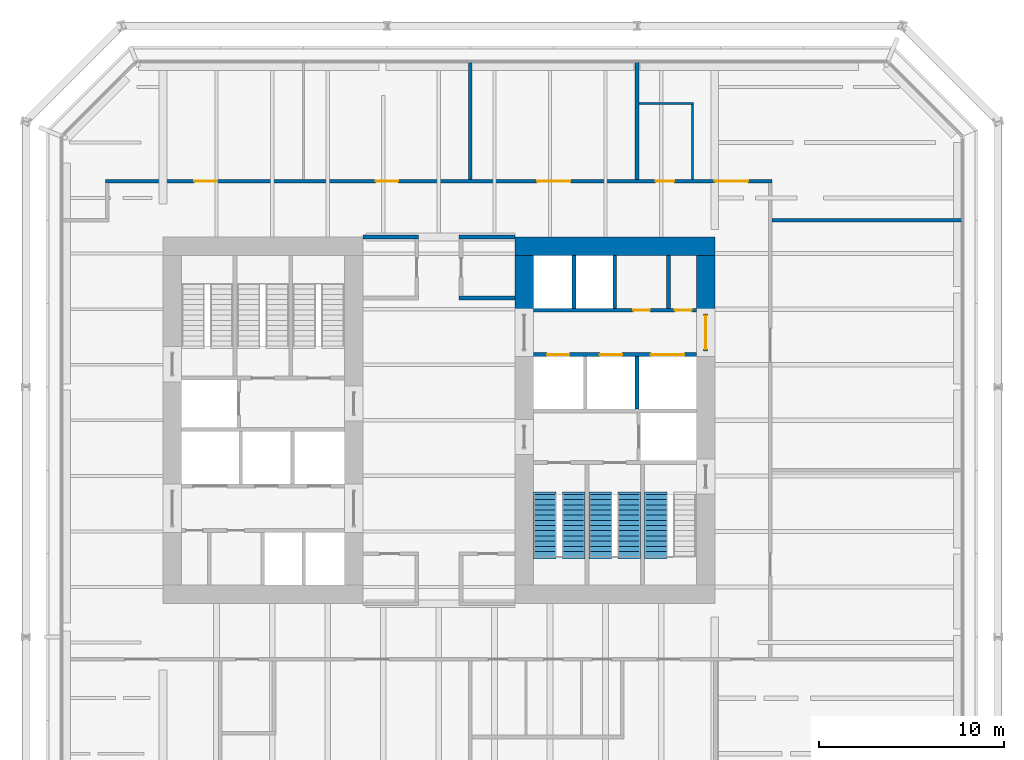
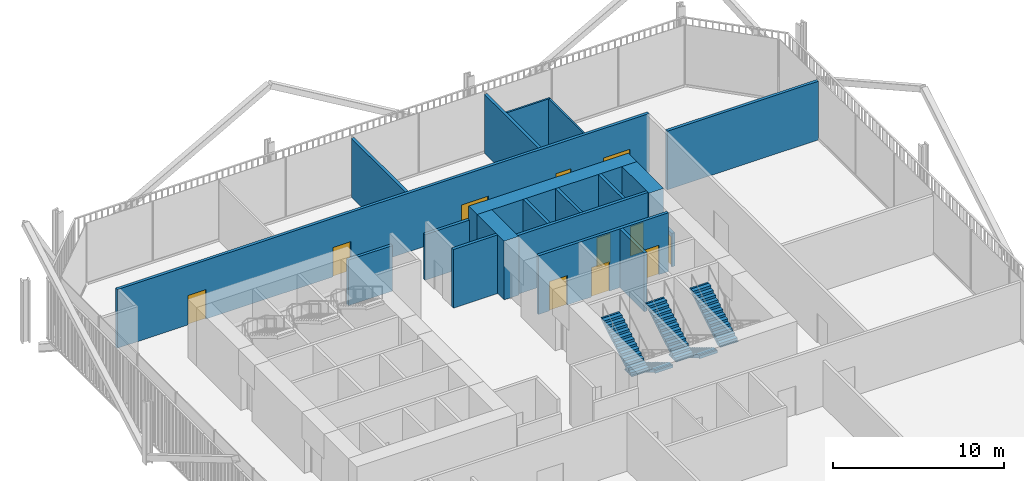
# One storey, part 19 of 21: 19 walls, 11 doors, 5 stair flights, 11 openings, 3 elements without a shape of their own.
"""IFC4 building model written with IfcOpenShell, lengths in metres."""

from ifc_helpers import new_model, si_unit, direction, frame, frame_2d, origin, place, context, subcontext, project, spatial, polyline, rectangle, outline, extrude, material, layer, layer_set, type_object, element, fill, aggregate, save


model = new_model("IFC4")

# Units and contexts
model_context = context("Model", 3, precision=1e-05, world=origin(), true_north=direction((0.0, 1.0)))
body_context = subcontext(model_context, "Body", "Model", "MODEL_VIEW")
ifc_project = project(units=[si_unit("LENGTHUNIT", "METRE"), si_unit("AREAUNIT", "SQUARE_METRE"), si_unit("VOLUMEUNIT", "CUBIC_METRE"), si_unit("PLANEANGLEUNIT", "RADIAN"), si_unit("MASSUNIT", "GRAM", prefix="KILO")], contexts=[model_context])

# Site, building, storey
site_placement = place(None, origin())
site = spatial("IfcSite", under=ifc_project, at=site_placement, CompositionType="ELEMENT")
building_placement = place(site_placement, origin())
building = spatial("IfcBuilding", under=site, at=building_placement, Name="Millrace Tower", CompositionType="ELEMENT")
storey_placement = place(building_placement, frame((0.0, 0.0, 73.199951171875)))
storey = spatial("IfcBuildingStorey", under=building, at=storey_placement, Name="L16", CompositionType="ELEMENT", Elevation=73.199951171875)

# Walls
ifc_material_1 = material(Name="Concrete C80", Category="concrete")
ifc_layer_1 = layer(ifc_material_1, 1.0)
ifc_layer_set_1 = layer_set([ifc_layer_1], Name="Concrete C80")
wall_type_1 = type_object("IfcWallType", Name="Core wall 1000 Concrete C80", PredefinedType="SHEAR", material=ifc_layer_set_1)
wall_1_placement = place(storey_placement, frame((14.89990234375, 9.39990234375, 0.0), z_axis=(0.0, 0.0, 1.0), x_axis=(-1.0, 0.0, 0.0)))
element("IfcWall", 1, at=wall_1_placement, inside=storey, type_object=wall_type_1, Name="Core wall E L16", PredefinedType="SHEAR", context=body_context, shape_type="SweptSolid", body=[
    extrude(rectangle(XDim=10.7998046875, YDim=1.0, at=frame_2d((5.39990234375, 0.0))), origin(), (0.0, 0.0, 1.0), 4.199951171875),
])
for number, where, z_axis, x_axis, name in (
    (2, (14.39990234375, 8.89990234375, 0.0), (0.0, 0.0, 1.0), (0.0, -1.0, 0.0), "Core wall E L16"),
    (3, (4.60009765625, 8.89990234375, 0.0), (0.0, 0.0, 1.0), (0.0, -1.0, 0.0), "Core wall E L16"),
):
    element("IfcWall", number, at=place(storey_placement, frame(where, z_axis=z_axis, x_axis=x_axis)), inside=storey, type_object=wall_type_1, Name=name, PredefinedType="SHEAR", context=body_context, shape_type="SweptSolid", body=[
        extrude(rectangle(XDim=3.14990234375, YDim=1.0, at=frame_2d((1.574951171875, 0.0))), origin(), (0.0, 0.0, 1.0), 4.199951171875),
    ])
ifc_material_2 = material(Name="Masonry partition, fire-rated", Category="masonry")
ifc_layer_2 = layer(ifc_material_2, 0.199951171875)
ifc_layer_set_2 = layer_set([ifc_layer_2], Name="Masonry partition, fire-rated")
wall_type_2 = type_object("IfcWallType", Name="Corridor wall 200", PredefinedType="PARTITIONING", material=ifc_layer_set_2)
wall_2_placement = place(storey_placement, frame((1.10009765625, 6.60009765625, 0.0), z_axis=(0.0, 0.0, 1.0), x_axis=(1.0, 0.0, 0.0)))
element("IfcWall", 4, at=wall_2_placement, inside=storey, type_object=wall_type_2, Name="Corridor wall L16", PredefinedType="PARTITIONING", context=body_context, shape_type="SweptSolid", body=[
    extrude(rectangle(XDim=3.0, YDim=0.199951171875, at=frame_2d((1.5, 0.0))), origin(), (0.0, 0.0, 1.0), 4.199951171875),
])
for number, where, z_axis, x_axis, name in (
    (5, (-4.10009765625, 9.89990234375, 0.0), (0.0, 0.0, 1.0), (1.0, 0.0, 0.0), "Corridor wall L16"),
    (6, (1.10009765625, 9.89990234375, 0.0), (0.0, 0.0, 1.0), (1.0, 0.0, 0.0), "Corridor wall L16"),
):
    element("IfcWall", number, at=place(storey_placement, frame(where, z_axis=z_axis, x_axis=x_axis)), inside=storey, type_object=wall_type_2, Name=name, PredefinedType="PARTITIONING", context=body_context, shape_type="SweptSolid", body=[
        extrude(rectangle(XDim=3.0, YDim=0.199951171875, at=frame_2d((1.5, 0.0))), origin(), (0.0, 0.0, 1.0), 3.2626953125),
    ])
wall_3_placement = place(storey_placement, frame((18.0, 10.800048828125, 0.0), z_axis=(0.0, 0.0, 1.0), x_axis=(1.0, 0.0, 0.0)))
element("IfcWall", 7, at=wall_3_placement, inside=storey, type_object=wall_type_2, Name="Corridor wall L16", PredefinedType="PARTITIONING", context=body_context, shape_type="SweptSolid", body=[
    extrude(rectangle(XDim=10.22998046875, YDim=0.199951171875, at=frame_2d((5.114990234375, 0.0))), origin(), (0.0, 0.0, 1.0), 4.199951171875),
])

# Wall, openings, doors
wall_4_placement = place(storey_placement, frame((-18.0, 12.89990234375, 0.0), z_axis=(0.0, 0.0, 1.0), x_axis=(1.0, 0.0, 0.0)))
wall_4 = element("IfcWall", 8, at=wall_4_placement, inside=storey, type_object=wall_type_2, Name="Corridor wall L16", PredefinedType="PARTITIONING", context=body_context, shape_type="SweptSolid", body=[
    extrude(rectangle(XDim=36.0, YDim=0.199951171875, at=frame_2d((18.0, 0.0))), origin(), (0.0, 0.0, 1.0), 4.199951171875),
])
opening_1_placement = place(wall_4_placement, frame((4.800048828125, 0.0, 0.0)))
opening_1 = element("IfcOpeningElement", 9, at=opening_1_placement, cuts=wall_4, Name="Opening 16-P010", PredefinedType="OPENING", context=body_context, shape_type="SweptSolid", body=[
    extrude(rectangle(XDim=1.199951171875, YDim=2.10009765625, at=frame_2d((0.60009765625, 1.050048828125))), frame((0.0, 0.10986328125, 0.0), z_axis=(0.0, -1.0, 0.0), x_axis=(1.0, 0.0, 0.0)), (0.0, 0.0, 1.0), 0.219970703125),
])
opening_2_placement = place(wall_4_placement, frame((14.60009765625, 0.0, 0.0)))
opening_2 = element("IfcOpeningElement", 10, at=opening_2_placement, cuts=wall_4, Name="Opening 16-P011", PredefinedType="OPENING", context=body_context, shape_type="SweptSolid", body=[
    extrude(rectangle(XDim=1.199951171875, YDim=2.10009765625, at=frame_2d((0.60009765625, 1.050048828125))), frame((0.0, 0.10986328125, 0.0), z_axis=(0.0, -1.0, 0.0), x_axis=(1.0, 0.0, 0.0)), (0.0, 0.0, 1.0), 0.219970703125),
])
opening_3_placement = place(wall_4_placement, frame((23.300048828125, 0.0, 0.0)))
opening_3 = element("IfcOpeningElement", 11, at=opening_3_placement, cuts=wall_4, Name="Opening 16-P012", PredefinedType="OPENING", context=body_context, shape_type="SweptSolid", body=[
    extrude(rectangle(XDim=1.800048828125, YDim=2.10009765625, at=frame_2d((0.89990234375, 1.050048828125))), frame((0.0, 0.10986328125, 0.0), z_axis=(0.0, -1.0, 0.0), x_axis=(1.0, 0.0, 0.0)), (0.0, 0.0, 1.0), 0.219970703125),
])
opening_4_placement = place(wall_4_placement, frame((32.89990234375, 0.0, 0.0)))
opening_4 = element("IfcOpeningElement", 12, at=opening_4_placement, cuts=wall_4, Name="Opening 16-P013", PredefinedType="OPENING", context=body_context, shape_type="SweptSolid", body=[
    extrude(rectangle(XDim=1.800048828125, YDim=2.10009765625, at=frame_2d((0.89990234375, 1.050048828125))), frame((0.0, 0.10986328125, 0.0), z_axis=(0.0, -1.0, 0.0), x_axis=(1.0, 0.0, 0.0)), (0.0, 0.0, 1.0), 0.219970703125),
])
opening_5_placement = place(wall_4_placement, frame((29.699951171875, 0.0, 0.0)))
opening_5 = element("IfcOpeningElement", 13, at=opening_5_placement, cuts=wall_4, Name="Opening 16-P014", PredefinedType="OPENING", context=body_context, shape_type="SweptSolid", body=[
    extrude(rectangle(XDim=1.0, YDim=2.10009765625, at=frame_2d((0.5, 1.050048828125))), frame((0.0, 0.10986328125, 0.0), z_axis=(0.0, -1.0, 0.0), x_axis=(1.0, 0.0, 0.0)), (0.0, 0.0, 1.0), 0.219970703125),
])
ifc_material_3 = material(Name="Steel door set, fire-rated", Category="steel")
door_type_1 = type_object("IfcDoorType", Name="Corridor door 1000 x 2100", OperationType="SINGLE_SWING_LEFT", PredefinedType="DOOR", material=ifc_material_3)
door_1_placement = place(opening_5_placement, origin())
door_1 = element("IfcDoor", 14, at=door_1_placement, inside=storey, type_object=door_type_1, Name="Door 16-P014", OperationType="SINGLE_SWING_RIGHT", OverallHeight=2.10009765625, OverallWidth=1.0, PredefinedType="DOOR", context=body_context, shape_type="SweptSolid", body=[
    extrude(rectangle(XDim=1.0, YDim=2.10009765625, at=frame_2d((0.5, 1.050048828125))), frame((0.0, 0.02490234375, 0.0), z_axis=(0.0, -1.0, 0.0), x_axis=(1.0, 0.0, 0.0)), (0.0, 0.0, 1.0), 0.050048828125),
])
fill(opening_5, door_1)
ifc_material_4 = material(Name="Steel door set, fire-rated", Category="steel")
door_type_2 = type_object("IfcDoorType", Name="Corridor door 1200 x 2100", OperationType="SINGLE_SWING_LEFT", PredefinedType="DOOR", material=ifc_material_4)
door_2_placement = place(opening_1_placement, origin())
door_2 = element("IfcDoor", 15, at=door_2_placement, inside=storey, type_object=door_type_2, Name="Door 16-P010", OperationType="SINGLE_SWING_LEFT", OverallHeight=2.10009765625, OverallWidth=1.199951171875, PredefinedType="DOOR", context=body_context, shape_type="SweptSolid", body=[
    extrude(rectangle(XDim=1.199951171875, YDim=2.10009765625, at=frame_2d((0.60009765625, 1.050048828125))), frame((0.0, 0.02490234375, 0.0), z_axis=(0.0, -1.0, 0.0), x_axis=(1.0, 0.0, 0.0)), (0.0, 0.0, 1.0), 0.050048828125),
])
fill(opening_1, door_2)
door_3_placement = place(opening_2_placement, origin())
door_3 = element("IfcDoor", 16, at=door_3_placement, inside=storey, type_object=door_type_2, Name="Door 16-P011", OperationType="SINGLE_SWING_LEFT", OverallHeight=2.10009765625, OverallWidth=1.199951171875, PredefinedType="DOOR", context=body_context, shape_type="SweptSolid", body=[
    extrude(rectangle(XDim=1.199951171875, YDim=2.10009765625, at=frame_2d((0.60009765625, 1.050048828125))), frame((0.0, 0.02490234375, 0.0), z_axis=(0.0, -1.0, 0.0), x_axis=(1.0, 0.0, 0.0)), (0.0, 0.0, 1.0), 0.050048828125),
])
fill(opening_2, door_3)
ifc_material_5 = material(Name="Steel door set, fire-rated", Category="steel")
door_type_3 = type_object("IfcDoorType", Name="Corridor door 1800 x 2100", OperationType="DOUBLE_DOOR_SINGLE_SWING", PredefinedType="DOOR", material=ifc_material_5)
door_4_placement = place(opening_4_placement, origin())
door_4 = element("IfcDoor", 17, at=door_4_placement, inside=storey, type_object=door_type_3, Name="Door 16-P013", OperationType="DOUBLE_DOOR_SINGLE_SWING", OverallHeight=2.10009765625, OverallWidth=1.800048828125, PredefinedType="DOOR", context=body_context, shape_type="SweptSolid", body=[
    extrude(rectangle(XDim=1.800048828125, YDim=2.10009765625, at=frame_2d((0.89990234375, 1.050048828125))), frame((0.0, 0.02490234375, 0.0), z_axis=(0.0, -1.0, 0.0), x_axis=(1.0, 0.0, 0.0)), (0.0, 0.0, 1.0), 0.050048828125),
])
fill(opening_4, door_4)
ifc_material_6 = material(Name="Steel door set, fire-rated", Category="steel")
door_type_4 = type_object("IfcDoorType", Name="Data hall door 1800 x 2100", OperationType="DOUBLE_DOOR_SINGLE_SWING", PredefinedType="DOOR", material=ifc_material_6)
door_5_placement = place(opening_3_placement, origin())
door_5 = element("IfcDoor", 18, at=door_5_placement, inside=storey, type_object=door_type_4, Name="Door 16-P012", OperationType="DOUBLE_DOOR_SINGLE_SWING", OverallHeight=2.10009765625, OverallWidth=1.800048828125, PredefinedType="DOOR", context=body_context, shape_type="SweptSolid", body=[
    extrude(rectangle(XDim=1.800048828125, YDim=2.10009765625, at=frame_2d((0.89990234375, 1.050048828125))), frame((0.0, 0.02490234375, 0.0), z_axis=(0.0, -1.0, 0.0), x_axis=(1.0, 0.0, 0.0)), (0.0, 0.0, 1.0), 0.050048828125),
])
fill(opening_3, door_5)

# Walls
for number, where, z_axis, x_axis, name in (
    (19, (10.699951171875, 13.0, 0.0), (0.0, 0.0, 1.0), (0.0, 1.0, 0.0), "Corridor wall L16"),
    (20, (1.699951171875, 13.0, 0.0), (0.0, 0.0, 1.0), (0.0, 1.0, 0.0), "Corridor wall L16"),
):
    element("IfcWall", number, at=place(storey_placement, frame(where, z_axis=z_axis, x_axis=x_axis)), inside=storey, type_object=wall_type_2, Name=name, PredefinedType="PARTITIONING", context=body_context, shape_type="SweptSolid", body=[
        extrude(rectangle(XDim=6.330078125, YDim=0.199951171875, at=frame_2d((3.1650390625, 0.0))), origin(), (0.0, 0.0, 1.0), 4.199951171875),
    ])

# Wall, openings, doors
ifc_material_7 = material(Name="Masonry partition, fire-rated", Category="masonry")
ifc_layer_3 = layer(ifc_material_7, 0.199951171875)
ifc_layer_set_3 = layer_set([ifc_layer_3], Name="Masonry partition, fire-rated")
wall_type_3 = type_object("IfcWallType", Name="Lift shaft wall 200", PredefinedType="PARTITIONING", material=ifc_layer_set_3)
wall_5_placement = place(storey_placement, frame((13.89990234375, 5.949951171875, 0.0), z_axis=(0.0, 0.0, 1.0), x_axis=(-1.0, 0.0, 0.0)))
wall_5 = element("IfcWall", 21, at=wall_5_placement, inside=storey, type_object=wall_type_3, Name="Lift shaft wall E L16", PredefinedType="PARTITIONING", context=body_context, shape_type="SweptSolid", body=[
    extrude(rectangle(XDim=8.7998046875, YDim=0.199951171875, at=frame_2d((4.39990234375, 0.0))), origin(), (0.0, 0.0, 1.0), 4.199951171875),
])
opening_6_placement = place(wall_5_placement, frame((0.25244140625, 0.0, 0.0)))
opening_6 = element("IfcOpeningElement", 22, at=opening_6_placement, cuts=wall_5, Name="Opening 16-C013", PredefinedType="OPENING", context=body_context, shape_type="SweptSolid", body=[
    extrude(rectangle(XDim=0.89990234375, YDim=2.10009765625, at=frame_2d((0.449951171875, 1.050048828125))), frame((0.0, 0.10986328125, 0.0), z_axis=(0.0, -1.0, 0.0), x_axis=(1.0, 0.0, 0.0)), (0.0, 0.0, 1.0), 0.219970703125),
])
opening_7_placement = place(wall_5_placement, frame((2.50244140625, 0.0, 0.0)))
opening_7 = element("IfcOpeningElement", 23, at=opening_7_placement, cuts=wall_5, Name="Opening 16-C014", PredefinedType="OPENING", context=body_context, shape_type="SweptSolid", body=[
    extrude(rectangle(XDim=0.89990234375, YDim=2.10009765625, at=frame_2d((0.449951171875, 1.050048828125))), frame((0.0, 0.10986328125, 0.0), z_axis=(0.0, -1.0, 0.0), x_axis=(1.0, 0.0, 0.0)), (0.0, 0.0, 1.0), 0.219970703125),
])
ifc_material_8 = material(Name="Steel door, fire-rated", Category="steel")
door_type_5 = type_object("IfcDoorType", Name="Service room door 900 x 2100", OperationType="SINGLE_SWING_LEFT", PredefinedType="DOOR", material=ifc_material_8)
door_6_placement = place(opening_6_placement, frame((0.89990234375, 0.0, 0.0), z_axis=(0.0, 0.0, 1.0), x_axis=(-1.0, 0.0, 0.0)))
door_6 = element("IfcDoor", 24, at=door_6_placement, inside=storey, type_object=door_type_5, Name="Service room door 16-C013", OperationType="SINGLE_SWING_RIGHT", OverallHeight=2.10009765625, OverallWidth=0.89990234375, PredefinedType="DOOR", context=body_context, shape_type="SweptSolid", body=[
    extrude(rectangle(XDim=0.89990234375, YDim=2.10009765625, at=frame_2d((0.449951171875, 1.050048828125))), frame((0.0, 0.02490234375, 0.0), z_axis=(0.0, -1.0, 0.0), x_axis=(1.0, 0.0, 0.0)), (0.0, 0.0, 1.0), 0.050048828125),
])
fill(opening_6, door_6)
door_7_placement = place(opening_7_placement, frame((0.89990234375, 0.0, 0.0), z_axis=(0.0, 0.0, 1.0), x_axis=(-1.0, 0.0, 0.0)))
door_7 = element("IfcDoor", 25, at=door_7_placement, inside=storey, type_object=door_type_5, Name="Service room door 16-C014", OperationType="SINGLE_SWING_RIGHT", OverallHeight=2.10009765625, OverallWidth=0.89990234375, PredefinedType="DOOR", context=body_context, shape_type="SweptSolid", body=[
    extrude(rectangle(XDim=0.89990234375, YDim=2.10009765625, at=frame_2d((0.449951171875, 1.050048828125))), frame((0.0, 0.02490234375, 0.0), z_axis=(0.0, -1.0, 0.0), x_axis=(1.0, 0.0, 0.0)), (0.0, 0.0, 1.0), 0.050048828125),
])
fill(opening_7, door_7)

wall_6_placement = place(storey_placement, frame((13.89990234375, 3.550048828125, 0.0), z_axis=(0.0, 0.0, 1.0), x_axis=(-1.0, 0.0, 0.0)))
wall_6 = element("IfcWall", 26, at=wall_6_placement, inside=storey, type_object=wall_type_3, Name="Lift shaft wall E L16", PredefinedType="PARTITIONING", context=body_context, shape_type="SweptSolid", body=[
    extrude(rectangle(XDim=8.7998046875, YDim=0.199951171875, at=frame_2d((4.39990234375, 0.0))), origin(), (0.0, 0.0, 1.0), 4.199951171875),
])
opening_8_placement = place(wall_6_placement, frame((0.64990234375, 0.0, 0.0)))
opening_8 = element("IfcOpeningElement", 27, at=opening_8_placement, cuts=wall_6, Name="Opening 16-LD13", PredefinedType="OPENING", context=body_context, shape_type="SweptSolid", body=[
    extrude(rectangle(XDim=1.800048828125, YDim=2.10009765625, at=frame_2d((0.89990234375, 1.050048828125))), frame((0.0, 0.10986328125, 0.0), z_axis=(0.0, -1.0, 0.0), x_axis=(1.0, 0.0, 0.0)), (0.0, 0.0, 1.0), 0.219970703125),
])
opening_9_placement = place(wall_6_placement, frame((4.0, 0.0, 0.0)))
opening_9 = element("IfcOpeningElement", 28, at=opening_9_placement, cuts=wall_6, Name="Opening 16-LD14", PredefinedType="OPENING", context=body_context, shape_type="SweptSolid", body=[
    extrude(rectangle(XDim=1.199951171875, YDim=2.10009765625, at=frame_2d((0.60009765625, 1.050048828125))), frame((0.0, 0.10986328125, 0.0), z_axis=(0.0, -1.0, 0.0), x_axis=(1.0, 0.0, 0.0)), (0.0, 0.0, 1.0), 0.219970703125),
])
opening_10_placement = place(wall_6_placement, frame((6.85009765625, 0.0, 0.0)))
opening_10 = element("IfcOpeningElement", 29, at=opening_10_placement, cuts=wall_6, Name="Opening 16-LD15", PredefinedType="OPENING", context=body_context, shape_type="SweptSolid", body=[
    extrude(rectangle(XDim=1.199951171875, YDim=2.10009765625, at=frame_2d((0.60009765625, 1.050048828125))), frame((0.0, 0.10986328125, 0.0), z_axis=(0.0, -1.0, 0.0), x_axis=(1.0, 0.0, 0.0)), (0.0, 0.0, 1.0), 0.219970703125),
])
ifc_material_9 = material(Name="Stainless steel, fire-rated", Category="steel")
door_type_6 = type_object("IfcDoorType", Name="Lift landing door 1200 x 2100", OperationType="DOUBLE_DOOR_SLIDING", PredefinedType="DOOR", material=ifc_material_9)
door_8_placement = place(opening_9_placement, origin())
door_8 = element("IfcDoor", 30, at=door_8_placement, inside=storey, type_object=door_type_6, Name="Lift landing door LF14 L16", OperationType="DOUBLE_DOOR_SLIDING", OverallHeight=2.10009765625, OverallWidth=1.199951171875, PredefinedType="DOOR", context=body_context, shape_type="SweptSolid", body=[
    extrude(rectangle(XDim=1.199951171875, YDim=2.10009765625, at=frame_2d((0.60009765625, 1.050048828125))), frame((0.0, 0.02490234375, 0.0), z_axis=(0.0, -1.0, 0.0), x_axis=(1.0, 0.0, 0.0)), (0.0, 0.0, 1.0), 0.050048828125),
])
fill(opening_9, door_8)
door_9_placement = place(opening_10_placement, origin())
door_9 = element("IfcDoor", 31, at=door_9_placement, inside=storey, type_object=door_type_6, Name="Lift landing door LF15 L16", OperationType="DOUBLE_DOOR_SLIDING", OverallHeight=2.10009765625, OverallWidth=1.199951171875, PredefinedType="DOOR", context=body_context, shape_type="SweptSolid", body=[
    extrude(rectangle(XDim=1.199951171875, YDim=2.10009765625, at=frame_2d((0.60009765625, 1.050048828125))), frame((0.0, 0.02490234375, 0.0), z_axis=(0.0, -1.0, 0.0), x_axis=(1.0, 0.0, 0.0)), (0.0, 0.0, 1.0), 0.050048828125),
])
fill(opening_10, door_9)
ifc_material_10 = material(Name="Stainless steel, fire-rated", Category="steel")
door_type_7 = type_object("IfcDoorType", Name="Lift landing door 1800 x 2100", OperationType="DOUBLE_DOOR_SLIDING", PredefinedType="DOOR", material=ifc_material_10)
door_10_placement = place(opening_8_placement, origin())
door_10 = element("IfcDoor", 32, at=door_10_placement, inside=storey, type_object=door_type_7, Name="Lift landing door LF13 L16", OperationType="DOUBLE_DOOR_SLIDING", OverallHeight=2.10009765625, OverallWidth=1.800048828125, PredefinedType="DOOR", context=body_context, shape_type="SweptSolid", body=[
    extrude(rectangle(XDim=1.800048828125, YDim=2.10009765625, at=frame_2d((0.89990234375, 1.050048828125))), frame((0.0, 0.02490234375, 0.0), z_axis=(0.0, -1.0, 0.0), x_axis=(1.0, 0.0, 0.0)), (0.0, 0.0, 1.0), 0.050048828125),
])
fill(opening_8, door_10)

# Walls
for number, where, z_axis, x_axis, name in (
    (33, (9.5, 8.89990234375, 0.0), (0.0, 0.0, 1.0), (0.0, -1.0, 0.0), "Lift shaft wall E L16"),
    (34, (7.300048828125, 8.89990234375, 0.0), (0.0, 0.0, 1.0), (0.0, -1.0, 0.0), "Lift shaft wall E L16"),
    (35, (10.699951171875, 3.449951171875, 0.0), (0.0, 0.0, 1.0), (0.0, -1.0, 0.0), "Lift shaft wall E L16"),
):
    element("IfcWall", number, at=place(storey_placement, frame(where, z_axis=z_axis, x_axis=x_axis)), inside=storey, type_object=wall_type_3, Name=name, PredefinedType="PARTITIONING", context=body_context, shape_type="SweptSolid", body=[
        extrude(rectangle(XDim=2.849853515625, YDim=0.199951171875, at=frame_2d((1.4248046875, 0.0))), origin(), (0.0, 0.0, 1.0), 4.199951171875),
    ])

# Wall, opening, door
ifc_material_11 = material(Name="Masonry partition, fire-rated", Category="masonry")
ifc_layer_4 = layer(ifc_material_11, 0.199951171875)
ifc_layer_set_4 = layer_set([ifc_layer_4], Name="Masonry partition, fire-rated")
wall_type_4 = type_object("IfcWallType", Name="Lobby wall 200", PredefinedType="PARTITIONING", material=ifc_layer_set_4)
wall_7_placement = place(storey_placement, frame((14.39990234375, 5.75, 0.0), z_axis=(0.0, 0.0, 1.0), x_axis=(0.0, -1.0, 0.0)))
wall_7 = element("IfcWall", 36, at=wall_7_placement, inside=storey, type_object=wall_type_4, Name="Lobby wall E L16", PredefinedType="PARTITIONING", context=body_context, shape_type="SweptSolid", body=[
    extrude(rectangle(XDim=2.0, YDim=0.199951171875, at=frame_2d((1.0, 0.0))), origin(), (0.0, 0.0, 1.0), 2.400146484375),
])
opening_11_placement = place(wall_7_placement, frame((0.10009765625, 0.0, 0.0)))
opening_11 = element("IfcOpeningElement", 37, at=opening_11_placement, cuts=wall_7, Name="Opening 16-C009", PredefinedType="OPENING", context=body_context, shape_type="SweptSolid", body=[
    extrude(rectangle(XDim=1.800048828125, YDim=2.10009765625, at=frame_2d((0.89990234375, 1.050048828125))), frame((0.0, 0.10986328125, 0.0), z_axis=(0.0, -1.0, 0.0), x_axis=(1.0, 0.0, 0.0)), (0.0, 0.0, 1.0), 0.219970703125),
])
ifc_material_12 = material(Name="Steel door, fire-rated", Category="steel")
door_type_8 = type_object("IfcDoorType", Name="Lobby door 1800 x 2100", OperationType="DOUBLE_DOOR_SINGLE_SWING", PredefinedType="DOOR", material=ifc_material_12)
door_11_placement = place(opening_11_placement, origin())
door_11 = element("IfcDoor", 38, at=door_11_placement, inside=storey, type_object=door_type_8, Name="Lobby door 16-C009", OperationType="DOUBLE_DOOR_SINGLE_SWING", OverallHeight=2.10009765625, OverallWidth=1.800048828125, PredefinedType="DOOR", context=body_context, shape_type="SweptSolid", body=[
    extrude(rectangle(XDim=1.800048828125, YDim=2.10009765625, at=frame_2d((0.89990234375, 1.050048828125))), frame((0.0, 0.02490234375, 0.0), z_axis=(0.0, -1.0, 0.0), x_axis=(1.0, 0.0, 0.0)), (0.0, 0.0, 1.0), 0.050048828125),
])
fill(opening_11, door_11)

# Walls
ifc_material_13 = material(Name="Gypsum board partition")
ifc_layer_5 = layer(ifc_material_13, 0.1201171875)
ifc_layer_set_5 = layer_set([ifc_layer_5], Name="Gypsum board partition")
wall_type_5 = type_object("IfcWallType", Name="Partition wall 120", PredefinedType="PARTITIONING", material=ifc_layer_set_5)
wall_8_placement = place(storey_placement, frame((10.800048828125, 17.10009765625, 0.0), z_axis=(0.0, 0.0, 1.0), x_axis=(1.0, 0.0, 0.0)))
element("IfcWall", 39, at=wall_8_placement, inside=storey, type_object=wall_type_5, Name="Partition wall L16", PredefinedType="PARTITIONING", context=body_context, shape_type="SweptSolid", body=[
    extrude(rectangle(XDim=2.9599609375, YDim=0.1201171875, at=frame_2d((1.47998046875, 0.0))), origin(), (0.0, 0.0, 1.0), 4.199951171875),
])
wall_9_placement = place(storey_placement, frame((13.699951171875, 13.0, 0.0), z_axis=(0.0, 0.0, 1.0), x_axis=(0.0, 1.0, 0.0)))
element("IfcWall", 40, at=wall_9_placement, inside=storey, type_object=wall_type_5, Name="Partition wall L16", PredefinedType="PARTITIONING", context=body_context, shape_type="SweptSolid", body=[
    extrude(rectangle(XDim=4.0400390625, YDim=0.1201171875, at=frame_2d((2.02001953125, 0.0))), origin(), (0.0, 0.0, 1.0), 4.199951171875),
])
ifc_material_14 = material(Name="Masonry partition, fire-rated", Category="masonry")
ifc_layer_6 = layer(ifc_material_14, 0.199951171875)
ifc_layer_set_6 = layer_set([ifc_layer_6], Name="Masonry partition, fire-rated")
wall_type_6 = type_object("IfcWallType", Name="Room partition 200", PredefinedType="PARTITIONING", material=ifc_layer_set_6)
wall_10_placement = place(storey_placement, frame((12.39501953125, 8.89990234375, 0.0), z_axis=(0.0, 0.0, 1.0), x_axis=(0.0, -1.0, 0.0)))
element("IfcWall", 41, at=wall_10_placement, inside=storey, type_object=wall_type_6, Name="Room partition E L16", PredefinedType="PARTITIONING", context=body_context, shape_type="SweptSolid", body=[
    extrude(rectangle(XDim=2.849853515625, YDim=0.199951171875, at=frame_2d((1.4248046875, 0.0))), origin(), (0.0, 0.0, 1.0), 4.199951171875),
])

# Stair, stair flight
ifc_material_15 = material(Name="Concrete C35", Category="concrete")
stair_type = type_object("IfcStairType", Name="Exit stair", PredefinedType="HALF_TURN_STAIR", material=ifc_material_15)
placement = place(storey_placement, origin())
stair_1 = element("IfcStair", 42, at=placement, inside=storey, type_object=stair_type, Name="Stair 1 E L16", PredefinedType="HALF_TURN_STAIR")
ifc_material_16 = material(Name="Concrete C35", Category="concrete")
stair_flight_type = type_object("IfcStairFlightType", Name="Exit stair flight", PredefinedType="STRAIGHT", material=ifc_material_16)
stair_flight_1_placement = place(storey_placement, frame((11.7099609375, -7.360107421875, 2.199951171875), z_axis=(0.0, 0.0, 1.0), x_axis=(0.0, 1.0, 0.0)))
stair_flight_1 = element("IfcStairFlight", 43, at=stair_flight_1_placement, type_object=stair_flight_type, Name="ST12 flight 2", NumberOfRisers=13, NumberOfTreads=12, PredefinedType="STRAIGHT", RiserHeight=0.169230769, TreadLength=0.28, context=body_context, shape_type="SweptSolid", body=[
    extrude(outline(polyline([(-0.1201171875, -0.0400390625), (-0.1201171875, 0.0), (0.0, 0.0), (0.0, 0.169189453125), (0.280029296875, 0.169189453125), (0.280029296875, 0.33837890625), (0.56005859375, 0.33837890625), (0.56005859375, 0.5078125), (0.840087890625, 0.5078125), (0.840087890625, 0.677001953125), (1.1201171875, 0.677001953125), (1.1201171875, 0.84619140625), (1.39990234375, 0.84619140625), (1.39990234375, 1.015380859375), (1.679931640625, 1.015380859375), (1.679931640625, 1.1845703125), (1.9599609375, 1.1845703125), (1.9599609375, 1.353759765625), (2.239990234375, 1.353759765625), (2.239990234375, 1.523193359375), (2.52001953125, 1.523193359375), (2.52001953125, 1.6923828125), (2.800048828125, 1.6923828125), (2.800048828125, 1.861572265625), (3.080078125, 1.861572265625), (3.080078125, 2.03076171875), (3.360107421875, 2.03076171875), (3.360107421875, 2.05078125), (3.47998046875, 2.05078125), (3.47998046875, 1.855712890625), (3.360107421875, 1.855712890625), (0.289794921875, 0.0), (0.289794921875, -0.0400390625), (-0.1201171875, -0.0400390625)])), frame((0.0, 0.60986328125, 0.0), z_axis=(0.0, -1.0, 0.0), x_axis=(1.0, 0.0, 0.0)), (0.0, 0.0, 1.0), 1.219970703125),
])
aggregate(stair_1, [stair_flight_1])

# Stair, stair flights
stair_2 = element("IfcStair", 44, at=placement, inside=storey, type_object=stair_type, Name="Stair 2 E L16", PredefinedType="HALF_TURN_STAIR")
stair_flight_2_placement = place(storey_placement, frame((10.2900390625, -4.0, 0.0), z_axis=(0.0, 0.0, 1.0), x_axis=(0.0, -1.0, 0.0)))
stair_flight_2 = element("IfcStairFlight", 45, at=stair_flight_2_placement, type_object=stair_flight_type, Name="ST12 flight 1", NumberOfRisers=13, NumberOfTreads=12, PredefinedType="STRAIGHT", RiserHeight=0.169230769, TreadLength=0.28, context=body_context, shape_type="SweptSolid", body=[
    extrude(outline(polyline([(-0.1201171875, -0.0400390625), (-0.1201171875, 0.0), (0.0, 0.0), (0.0, 0.169189453125), (0.280029296875, 0.169189453125), (0.280029296875, 0.33837890625), (0.56005859375, 0.33837890625), (0.56005859375, 0.5078125), (0.840087890625, 0.5078125), (0.840087890625, 0.677001953125), (1.1201171875, 0.677001953125), (1.1201171875, 0.84619140625), (1.39990234375, 0.84619140625), (1.39990234375, 1.015380859375), (1.679931640625, 1.015380859375), (1.679931640625, 1.1845703125), (1.9599609375, 1.1845703125), (1.9599609375, 1.353759765625), (2.239990234375, 1.353759765625), (2.239990234375, 1.523193359375), (2.52001953125, 1.523193359375), (2.52001953125, 1.6923828125), (2.800048828125, 1.6923828125), (2.800048828125, 1.861572265625), (3.080078125, 1.861572265625), (3.080078125, 2.03076171875), (3.360107421875, 2.03076171875), (3.360107421875, 2.05078125), (3.47998046875, 2.05078125), (3.47998046875, 1.855712890625), (3.360107421875, 1.855712890625), (0.289794921875, 0.0), (0.289794921875, -0.0400390625), (-0.1201171875, -0.0400390625)])), frame((0.0, 0.60986328125, 0.0), z_axis=(0.0, -1.0, 0.0), x_axis=(1.0, 0.0, 0.0)), (0.0, 0.0, 1.0), 1.219970703125),
])
stair_flight_3_placement = place(storey_placement, frame((8.7099609375, -7.360107421875, 2.199951171875), z_axis=(0.0, 0.0, 1.0), x_axis=(0.0, 1.0, 0.0)))
stair_flight_3 = element("IfcStairFlight", 46, at=stair_flight_3_placement, type_object=stair_flight_type, Name="ST12 flight 2", NumberOfRisers=13, NumberOfTreads=12, PredefinedType="STRAIGHT", RiserHeight=0.169230769, TreadLength=0.28, context=body_context, shape_type="SweptSolid", body=[
    extrude(outline(polyline([(-0.1201171875, -0.0400390625), (-0.1201171875, 0.0), (0.0, 0.0), (0.0, 0.169189453125), (0.280029296875, 0.169189453125), (0.280029296875, 0.33837890625), (0.56005859375, 0.33837890625), (0.56005859375, 0.5078125), (0.840087890625, 0.5078125), (0.840087890625, 0.677001953125), (1.1201171875, 0.677001953125), (1.1201171875, 0.84619140625), (1.39990234375, 0.84619140625), (1.39990234375, 1.015380859375), (1.679931640625, 1.015380859375), (1.679931640625, 1.1845703125), (1.9599609375, 1.1845703125), (1.9599609375, 1.353759765625), (2.239990234375, 1.353759765625), (2.239990234375, 1.523193359375), (2.52001953125, 1.523193359375), (2.52001953125, 1.6923828125), (2.800048828125, 1.6923828125), (2.800048828125, 1.861572265625), (3.080078125, 1.861572265625), (3.080078125, 2.03076171875), (3.360107421875, 2.03076171875), (3.360107421875, 2.05078125), (3.47998046875, 2.05078125), (3.47998046875, 1.855712890625), (3.360107421875, 1.855712890625), (0.289794921875, 0.0), (0.289794921875, -0.0400390625), (-0.1201171875, -0.0400390625)])), frame((0.0, 0.60986328125, 0.0), z_axis=(0.0, -1.0, 0.0), x_axis=(1.0, 0.0, 0.0)), (0.0, 0.0, 1.0), 1.219970703125),
])
aggregate(stair_2, [stair_flight_2, stair_flight_3])

stair_3 = element("IfcStair", 47, at=placement, inside=storey, type_object=stair_type, Name="Stair 3 E L16", PredefinedType="HALF_TURN_STAIR")
stair_flight_4_placement = place(storey_placement, frame((7.2900390625, -4.0, 0.0), z_axis=(0.0, 0.0, 1.0), x_axis=(0.0, -1.0, 0.0)))
stair_flight_4 = element("IfcStairFlight", 48, at=stair_flight_4_placement, type_object=stair_flight_type, Name="ST12 flight 1", NumberOfRisers=13, NumberOfTreads=12, PredefinedType="STRAIGHT", RiserHeight=0.169230769, TreadLength=0.28, context=body_context, shape_type="SweptSolid", body=[
    extrude(outline(polyline([(-0.1201171875, -0.0400390625), (-0.1201171875, 0.0), (0.0, 0.0), (0.0, 0.169189453125), (0.280029296875, 0.169189453125), (0.280029296875, 0.33837890625), (0.56005859375, 0.33837890625), (0.56005859375, 0.5078125), (0.840087890625, 0.5078125), (0.840087890625, 0.677001953125), (1.1201171875, 0.677001953125), (1.1201171875, 0.84619140625), (1.39990234375, 0.84619140625), (1.39990234375, 1.015380859375), (1.679931640625, 1.015380859375), (1.679931640625, 1.1845703125), (1.9599609375, 1.1845703125), (1.9599609375, 1.353759765625), (2.239990234375, 1.353759765625), (2.239990234375, 1.523193359375), (2.52001953125, 1.523193359375), (2.52001953125, 1.6923828125), (2.800048828125, 1.6923828125), (2.800048828125, 1.861572265625), (3.080078125, 1.861572265625), (3.080078125, 2.03076171875), (3.360107421875, 2.03076171875), (3.360107421875, 2.05078125), (3.47998046875, 2.05078125), (3.47998046875, 1.855712890625), (3.360107421875, 1.855712890625), (0.289794921875, 0.0), (0.289794921875, -0.0400390625), (-0.1201171875, -0.0400390625)])), frame((0.0, 0.60986328125, 0.0), z_axis=(0.0, -1.0, 0.0), x_axis=(1.0, 0.0, 0.0)), (0.0, 0.0, 1.0), 1.219970703125),
])
stair_flight_5_placement = place(storey_placement, frame((5.7099609375, -7.360107421875, 2.199951171875), z_axis=(0.0, 0.0, 1.0), x_axis=(0.0, 1.0, 0.0)))
stair_flight_5 = element("IfcStairFlight", 49, at=stair_flight_5_placement, type_object=stair_flight_type, Name="ST12 flight 2", NumberOfRisers=13, NumberOfTreads=12, PredefinedType="STRAIGHT", RiserHeight=0.169230769, TreadLength=0.28, context=body_context, shape_type="SweptSolid", body=[
    extrude(outline(polyline([(-0.1201171875, -0.0400390625), (-0.1201171875, 0.0), (0.0, 0.0), (0.0, 0.169189453125), (0.280029296875, 0.169189453125), (0.280029296875, 0.33837890625), (0.56005859375, 0.33837890625), (0.56005859375, 0.5078125), (0.840087890625, 0.5078125), (0.840087890625, 0.677001953125), (1.1201171875, 0.677001953125), (1.1201171875, 0.84619140625), (1.39990234375, 0.84619140625), (1.39990234375, 1.015380859375), (1.679931640625, 1.015380859375), (1.679931640625, 1.1845703125), (1.9599609375, 1.1845703125), (1.9599609375, 1.353759765625), (2.239990234375, 1.353759765625), (2.239990234375, 1.523193359375), (2.52001953125, 1.523193359375), (2.52001953125, 1.6923828125), (2.800048828125, 1.6923828125), (2.800048828125, 1.861572265625), (3.080078125, 1.861572265625), (3.080078125, 2.03076171875), (3.360107421875, 2.03076171875), (3.360107421875, 2.05078125), (3.47998046875, 2.05078125), (3.47998046875, 1.855712890625), (3.360107421875, 1.855712890625), (0.289794921875, 0.0), (0.289794921875, -0.0400390625), (-0.1201171875, -0.0400390625)])), frame((0.0, 0.60986328125, 0.0), z_axis=(0.0, -1.0, 0.0), x_axis=(1.0, 0.0, 0.0)), (0.0, 0.0, 1.0), 1.219970703125),
])
aggregate(stair_3, [stair_flight_4, stair_flight_5])

save(model, "model.ifc")
